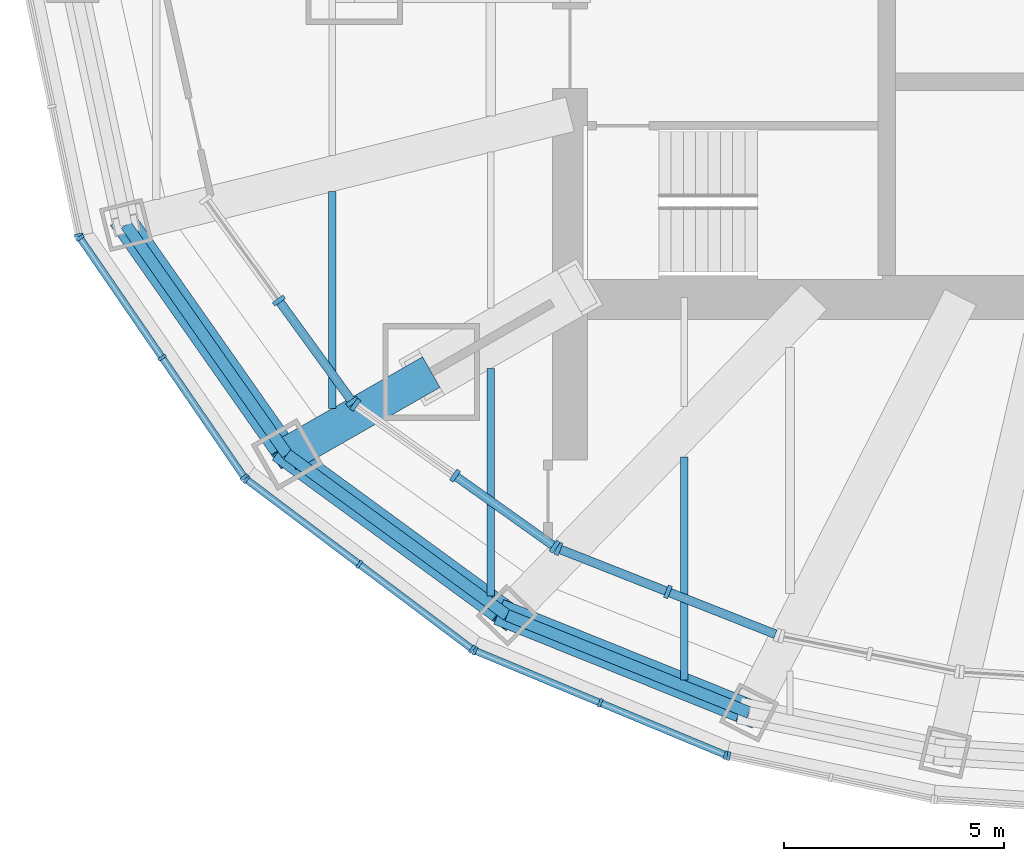
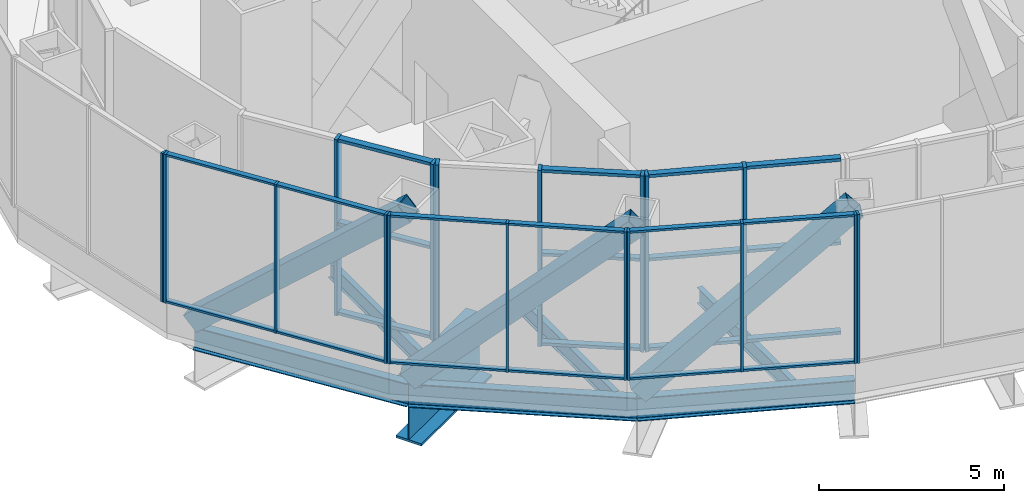
# One storey, part 2 of 21: 45 members, 7 beams, 8 elements without a shape of their own.
"""IFC4 building model written with IfcOpenShell, lengths in metres."""

from ifc_helpers import new_model, si_unit, direction, frame, origin, origin_2d, place, context, subcontext, project, spatial, rectangle, hollow_rectangle, i_section, extrude, material, material_profile, profile_set, type_object, element, aggregate, save


model = new_model("IFC4")

# Units and contexts
model_context = context("Model", 3, precision=1e-05, world=origin(), true_north=direction((0.0, 1.0)))
body_context = subcontext(model_context, "Body", "Model", "MODEL_VIEW")
ifc_project = project(units=[si_unit("LENGTHUNIT", "METRE"), si_unit("AREAUNIT", "SQUARE_METRE"), si_unit("VOLUMEUNIT", "CUBIC_METRE"), si_unit("PLANEANGLEUNIT", "RADIAN"), si_unit("MASSUNIT", "GRAM", prefix="KILO")], contexts=[model_context])

# Site, building, storey
site_placement = place(None, origin())
site = spatial("IfcSite", under=ifc_project, at=site_placement, CompositionType="ELEMENT")
building_placement = place(site_placement, origin())
building = spatial("IfcBuilding", under=site, at=building_placement, Name="Lantaw Convention Tower", CompositionType="ELEMENT")
storey_placement = place(building_placement, frame((0.0, 0.0, 284.39990234375)))
storey = spatial("IfcBuildingStorey", under=building, at=storey_placement, Name="L66", CompositionType="ELEMENT", Elevation=284.39990234375)

# Beams
ifc_material_1 = material(Name="Steel ASTM A992", Category="steel")
ifc_material_profile_1 = material_profile(ifc_material_1, i_section(OverallWidth=0.2666015625, OverallDepth=0.76953125, WebThickness=0.015625, FlangeThickness=0.025390625, FilletRadius=0.0126953125, at=origin_2d()), Name="W30X132")
ifc_profile_set_1 = profile_set([ifc_material_profile_1], Name="Steel ASTM A992")
beam_type_1 = type_object("IfcBeamType", Name="Beam E W30X132", PredefinedType="SPANDREL", material=ifc_profile_set_1)
beam_1_placement = place(storey_placement, frame((-22.68701171875, -5.656494140625, -0.584716796875), z_axis=(0.574400527612, -0.81857439117, 0.0), x_axis=(0.81857439117, 0.574400527612, 0.0)))
element("IfcBeam", 1, at=beam_1_placement, inside=storey, type_object=beam_type_1, Name="Edge beam 14", PredefinedType="SPANDREL", context=body_context, shape_type="SweptSolid", body=[
    extrude(i_section(OverallWidth=0.2666015625, OverallDepth=0.76953125, WebThickness=0.015625, FlangeThickness=0.025390625, FilletRadius=0.0126953125, at=origin_2d()), origin(), (0.0, 0.0, 1.0), 6.3720703125),
])
beam_2_placement = place(storey_placement, frame((-19.02685546875, -10.87255859375, -0.584716796875), z_axis=(0.807371616826, -0.59004328006, 0.0), x_axis=(0.59004328006, 0.807371616826, 0.0)))
element("IfcBeam", 2, at=beam_2_placement, inside=storey, type_object=beam_type_1, Name="Edge beam 15", PredefinedType="SPANDREL", context=body_context, shape_type="SweptSolid", body=[
    extrude(i_section(OverallWidth=0.2666015625, OverallDepth=0.76953125, WebThickness=0.015625, FlangeThickness=0.025390625, FilletRadius=0.0126953125, at=origin_2d()), origin(), (0.0, 0.0, 1.0), 6.192138671875),
])
beam_3_placement = place(storey_placement, frame((-14.027587890625, -14.526123046875, -0.584716796875), z_axis=(0.927779110974, -0.373129898615, 0.0), x_axis=(0.373129898615, 0.927779110974, 0.0)))
element("IfcBeam", 3, at=beam_3_placement, inside=storey, type_object=beam_type_1, Name="Edge beam 16", PredefinedType="SPANDREL", context=body_context, shape_type="SweptSolid", body=[
    extrude(i_section(OverallWidth=0.2666015625, OverallDepth=0.76953125, WebThickness=0.015625, FlangeThickness=0.025390625, FilletRadius=0.0126953125, at=origin_2d()), origin(), (0.0, 0.0, 1.0), 5.92724609375),
])
ifc_material_2 = material(Name="Steel ASTM A572 Grade 50", Category="steel")
ifc_material_profile_2 = material_profile(ifc_material_2, i_section(OverallWidth=0.800048828125, OverallDepth=2.0, WebThickness=0.030029296875, FlangeThickness=0.080078125, at=origin_2d()), Name="PG2000X800X30X80")
ifc_profile_set_2 = profile_set([ifc_material_profile_2], Name="Steel ASTM A572 Grade 50")
beam_type_2 = type_object("IfcBeamType", Name="Beam HG PG2000X800X30X80", PredefinedType="BEAM", material=ifc_profile_set_2)
beam_4_placement = place(storey_placement, frame((-15.75, -9.0, -1.199951171875), z_axis=(-0.868235180478, -0.496152870978, 0.0), x_axis=(0.496152870978, -0.868235180478, 0.0)))
element("IfcBeam", 4, at=beam_4_placement, inside=storey, type_object=beam_type_2, Name="Floor girder on ray 15", PredefinedType="BEAM", context=body_context, shape_type="SweptSolid", body=[
    extrude(i_section(OverallWidth=0.800048828125, OverallDepth=2.0, WebThickness=0.030029296875, FlangeThickness=0.080078125, at=origin_2d()), origin(), (0.0, 0.0, 1.0), 3.774169921875),
])
ifc_material_profile_3 = material_profile(ifc_material_1, i_section(OverallWidth=0.1650390625, OverallDepth=0.52587890625, WebThickness=0.0087890625, FlangeThickness=0.011474609375, FilletRadius=0.0126953125, at=origin_2d()), Name="W21X44")
ifc_profile_set_3 = profile_set([ifc_material_profile_3], Name="Steel ASTM A992")
beam_type_3 = type_object("IfcBeamType", Name="Beam J W21X44", PredefinedType="JOIST", material=ifc_profile_set_3)
beam_5_placement = place(storey_placement, frame((-10.0, -16.002197265625, -0.462890625), z_axis=(0.0, 1.0, 0.0), x_axis=(-1.0, 0.0, 0.0)))
element("IfcBeam", 5, at=beam_5_placement, inside=storey, type_object=beam_type_3, Name="Floor joist", PredefinedType="JOIST", context=body_context, shape_type="SweptSolid", body=[
    extrude(i_section(OverallWidth=0.1650390625, OverallDepth=0.52587890625, WebThickness=0.0087890625, FlangeThickness=0.011474609375, FilletRadius=0.0126953125, at=origin_2d()), origin(), (0.0, 0.0, 1.0), 5.071044921875),
])
ifc_material_profile_4 = material_profile(ifc_material_1, i_section(OverallWidth=0.165771484375, OverallDepth=0.5283203125, WebThickness=0.009765625, FlangeThickness=0.013671875, FilletRadius=0.012939453125, at=origin_2d()), Name="W21X50")
ifc_profile_set_4 = profile_set([ifc_material_profile_4], Name="Steel ASTM A992")
beam_type_4 = type_object("IfcBeamType", Name="Beam J W21X50", PredefinedType="JOIST", material=ifc_profile_set_4)
beam_6_placement = place(storey_placement, frame((-18.0, -9.824951171875, -0.464111328125), z_axis=(0.0, 1.0, 0.0), x_axis=(-1.0, 0.0, 0.0)))
element("IfcBeam", 6, at=beam_6_placement, inside=storey, type_object=beam_type_4, Name="Floor joist", PredefinedType="JOIST", context=body_context, shape_type="SweptSolid", body=[
    extrude(i_section(OverallWidth=0.165771484375, OverallDepth=0.5283203125, WebThickness=0.009765625, FlangeThickness=0.013671875, FilletRadius=0.012939453125, at=origin_2d()), origin(), (0.0, 0.0, 1.0), 4.9248046875),
])
beam_7_placement = place(storey_placement, frame((-14.39990234375, -14.0888671875, -0.464111328125), z_axis=(0.0, 1.0, 0.0), x_axis=(-1.0, 0.0, 0.0)))
element("IfcBeam", 7, at=beam_7_placement, inside=storey, type_object=beam_type_4, Name="Floor joist", PredefinedType="JOIST", context=body_context, shape_type="SweptSolid", body=[
    extrude(i_section(OverallWidth=0.165771484375, OverallDepth=0.5283203125, WebThickness=0.009765625, FlangeThickness=0.013671875, FilletRadius=0.012939453125, at=origin_2d()), origin(), (0.0, 0.0, 1.0), 5.169189453125),
])

# Curtain wall, members
ifc_material_3 = material(Name="Aluminium framed curtain wall", Category="aluminium")
curtain_wall_type_1 = type_object("IfcCurtainWallType", Name="Lantern corner louvre curtain wall, pale aluminium", PredefinedType="USERDEFINED", material=ifc_material_3)
curtain_wall_1_placement = place(storey_placement, origin())
curtain_wall_1 = element("IfcCurtainWall", 8, at=curtain_wall_1_placement, inside=storey, type_object=curtain_wall_type_1, Name="Lantern corner louvre curtain wall, pale aluminium L66", ObjectType="LOUVRE WALL", PredefinedType="USERDEFINED")
ifc_material_4 = material(Name="Aluminium 6063-T6", Category="aluminium")
ifc_material_profile_5 = material_profile(ifc_material_4, rectangle(XDim=0.300048828125, YDim=0.10009765625, at=origin_2d()), Name="CW-LC mullion 100x300")
ifc_profile_set_5 = profile_set([ifc_material_profile_5], Name="Aluminium 6063-T6")
member_type_1 = type_object("IfcMemberType", Name="CW-LC mullion 100x300", PredefinedType="MULLION", material=ifc_profile_set_5)
member_1_placement = place(storey_placement, frame((-17.477783203125, -9.7431640625, 0.0), z_axis=(0.0, 0.0, 1.0), x_axis=(0.579683901346, 0.814841441337, 0.0)))
member_1 = element("IfcMember", 9, at=member_1_placement, type_object=member_type_1, Name="CW-LC mullion 1", PredefinedType="MULLION", context=body_context, shape_type="SweptSolid", body=[
    extrude(rectangle(XDim=0.300048828125, YDim=0.10009765625, at=origin_2d()), origin(), (0.0, 0.0, 1.0), 5.800048828125),
])
member_2_placement = place(storey_placement, frame((-15.212158203125, -11.354736328125, 0.0), z_axis=(0.0, 0.0, 1.0), x_axis=(0.579683901346, 0.814841441337, 0.0)))
member_2 = element("IfcMember", 10, at=member_2_placement, type_object=member_type_1, Name="CW-LC mullion 2", PredefinedType="MULLION", context=body_context, shape_type="SweptSolid", body=[
    extrude(rectangle(XDim=0.300048828125, YDim=0.10009765625, at=origin_2d()), origin(), (0.0, 0.0, 1.0), 5.800048828125),
])
member_3_placement = place(storey_placement, frame((-12.946533203125, -12.966552734375, 0.0), z_axis=(0.0, 0.0, 1.0), x_axis=(0.579683901346, 0.814841441337, 0.0)))
member_3 = element("IfcMember", 11, at=member_3_placement, type_object=member_type_1, Name="CW-LC mullion 3", PredefinedType="MULLION", context=body_context, shape_type="SweptSolid", body=[
    extrude(rectangle(XDim=0.300048828125, YDim=0.10009765625, at=origin_2d()), origin(), (0.0, 0.0, 1.0), 5.800048828125),
])
ifc_material_profile_6 = material_profile(ifc_material_4, rectangle(XDim=0.199951171875, YDim=0.10009765625, at=origin_2d()), Name="CW-LC transom 100x200")
ifc_profile_set_6 = profile_set([ifc_material_profile_6], Name="Aluminium 6063-T6")
member_type_2 = type_object("IfcMemberType", Name="CW-LC transom 100x200", PredefinedType="USERDEFINED", material=ifc_profile_set_6)
member_4_placement = place(storey_placement, frame((-15.17138671875, -11.3837890625, 0.050048828125), z_axis=(0.814852067311, -0.579668964495, 0.0), x_axis=(0.579668964495, 0.814852067311, 0.0)))
member_4 = element("IfcMember", 12, at=member_4_placement, type_object=member_type_2, Name="CW-LC transom 2.1", ObjectType="TRANSOM", PredefinedType="USERDEFINED", context=body_context, shape_type="SweptSolid", body=[
    extrude(rectangle(XDim=0.199951171875, YDim=0.10009765625, at=origin_2d()), origin(), (0.0, 0.0, 1.0), 2.680419921875),
])
member_5_placement = place(storey_placement, frame((-15.17138671875, -11.3837890625, 3.0), z_axis=(0.814852067311, -0.579668964495, 0.0), x_axis=(0.579668964495, 0.814852067311, 0.0)))
member_5 = element("IfcMember", 13, at=member_5_placement, type_object=member_type_2, Name="CW-LC transom 2.2", ObjectType="TRANSOM", PredefinedType="USERDEFINED", context=body_context, shape_type="SweptSolid", body=[
    extrude(rectangle(XDim=0.199951171875, YDim=0.10009765625, at=origin_2d()), origin(), (0.0, 0.0, 1.0), 2.680419921875),
])
member_6_placement = place(storey_placement, frame((-15.17138671875, -11.3837890625, 5.75), z_axis=(0.814852067311, -0.579668964495, 0.0), x_axis=(0.579668964495, 0.814852067311, 0.0)))
member_6 = element("IfcMember", 14, at=member_6_placement, type_object=member_type_2, Name="CW-LC transom 2.3", ObjectType="TRANSOM", PredefinedType="USERDEFINED", context=body_context, shape_type="SweptSolid", body=[
    extrude(rectangle(XDim=0.199951171875, YDim=0.10009765625, at=origin_2d()), origin(), (0.0, 0.0, 1.0), 2.680419921875),
])
aggregate(curtain_wall_1, [member_1, member_2, member_3, member_4, member_5, member_6])

curtain_wall_type_2 = type_object("IfcCurtainWallType", Name="LANTERN glazing curtain wall, pale aluminium", PredefinedType="USERDEFINED", material=ifc_material_3)
curtain_wall_2_placement = place(storey_placement, origin())
curtain_wall_2 = element("IfcCurtainWall", 15, at=curtain_wall_2_placement, inside=storey, type_object=curtain_wall_type_2, Name="LANTERN glazing curtain wall, pale aluminium L66", ObjectType="LANTERN GLAZING", PredefinedType="USERDEFINED")
ifc_material_profile_7 = material_profile(ifc_material_4, rectangle(XDim=0.300048828125, YDim=0.10009765625, at=origin_2d()), Name="CW-LN mullion 100x300")
ifc_profile_set_7 = profile_set([ifc_material_profile_7], Name="Aluminium 6063-T6")
member_type_3 = type_object("IfcMemberType", Name="CW-LN mullion 100x300", PredefinedType="MULLION", material=ifc_profile_set_7)
member_7_placement = place(storey_placement, frame((-19.213623046875, -7.375, 0.0), z_axis=(0.0, 0.0, 1.0), x_axis=(0.809741800193, 0.586786346995, 0.0)))
member_7 = element("IfcMember", 16, at=member_7_placement, type_object=member_type_3, Name="CW-LN mullion 2", PredefinedType="MULLION", context=body_context, shape_type="SweptSolid", body=[
    extrude(rectangle(XDim=0.300048828125, YDim=0.10009765625, at=origin_2d()), origin(), (0.0, 0.0, 1.0), 5.800048828125),
])
member_8_placement = place(storey_placement, frame((-17.5478515625, -9.673583984375, 0.0), z_axis=(0.0, 0.0, 1.0), x_axis=(0.809741800193, 0.586786346995, 0.0)))
member_8 = element("IfcMember", 17, at=member_8_placement, type_object=member_type_3, Name="CW-LN mullion 3", PredefinedType="MULLION", context=body_context, shape_type="SweptSolid", body=[
    extrude(rectangle(XDim=0.300048828125, YDim=0.10009765625, at=origin_2d()), origin(), (0.0, 0.0, 1.0), 5.800048828125),
])

curtain_wall_3_placement = place(storey_placement, origin())
curtain_wall_3 = element("IfcCurtainWall", 18, at=curtain_wall_3_placement, inside=storey, type_object=curtain_wall_type_2, Name="LANTERN glazing curtain wall, pale aluminium L66", ObjectType="LANTERN GLAZING", PredefinedType="USERDEFINED")
member_9_placement = place(storey_placement, frame((-12.859375, -13.013916015625, 0.0), z_axis=(0.0, 0.0, 1.0), x_axis=(0.366801957358, 0.930299050885, 0.0)))
member_9 = element("IfcMember", 19, at=member_9_placement, type_object=member_type_3, Name="CW-LN mullion 1", PredefinedType="MULLION", context=body_context, shape_type="SweptSolid", body=[
    extrude(rectangle(XDim=0.300048828125, YDim=0.10009765625, at=origin_2d()), origin(), (0.0, 0.0, 1.0), 5.800048828125),
])
member_10_placement = place(storey_placement, frame((-10.37109375, -13.994873046875, 0.0), z_axis=(0.0, 0.0, 1.0), x_axis=(0.366801957358, 0.930299050885, 0.0)))
member_10 = element("IfcMember", 20, at=member_10_placement, type_object=member_type_3, Name="CW-LN mullion 2", PredefinedType="MULLION", context=body_context, shape_type="SweptSolid", body=[
    extrude(rectangle(XDim=0.300048828125, YDim=0.10009765625, at=origin_2d()), origin(), (0.0, 0.0, 1.0), 5.800048828125),
])

# Member
ifc_material_profile_8 = material_profile(ifc_material_4, rectangle(XDim=0.199951171875, YDim=0.10009765625, at=origin_2d()), Name="CW-LN transom 100x200")
ifc_profile_set_8 = profile_set([ifc_material_profile_8], Name="Aluminium 6063-T6")
member_type_4 = type_object("IfcMemberType", Name="CW-LN transom 100x200", PredefinedType="USERDEFINED", material=ifc_profile_set_8)
member_11_placement = place(storey_placement, frame((-19.184326171875, -7.415283203125, 0.050048828125), z_axis=(0.586798118951, -0.809733269414, 0.0), x_axis=(0.809733269414, 0.586798118951, 0.0)))
member_11 = element("IfcMember", 21, at=member_11_placement, type_object=member_type_4, Name="CW-LN transom 2.1", ObjectType="TRANSOM", PredefinedType="USERDEFINED", context=body_context, shape_type="SweptSolid", body=[
    extrude(rectangle(XDim=0.199951171875, YDim=0.10009765625, at=origin_2d()), origin(), (0.0, 0.0, 1.0), 2.739013671875),
])

member_12_placement = place(storey_placement, frame((-19.184326171875, -7.415283203125, 3.0), z_axis=(0.586798118951, -0.809733269414, 0.0), x_axis=(0.809733269414, 0.586798118951, 0.0)))
member_12 = element("IfcMember", 22, at=member_12_placement, type_object=member_type_4, Name="CW-LN transom 2.2", ObjectType="TRANSOM", PredefinedType="USERDEFINED", context=body_context, shape_type="SweptSolid", body=[
    extrude(rectangle(XDim=0.199951171875, YDim=0.10009765625, at=origin_2d()), origin(), (0.0, 0.0, 1.0), 2.739013671875),
])

member_13_placement = place(storey_placement, frame((-19.184326171875, -7.415283203125, 5.75), z_axis=(0.586798118951, -0.809733269414, 0.0), x_axis=(0.809733269414, 0.586798118951, 0.0)))
member_13 = element("IfcMember", 23, at=member_13_placement, type_object=member_type_4, Name="CW-LN transom 2.3", ObjectType="TRANSOM", PredefinedType="USERDEFINED", context=body_context, shape_type="SweptSolid", body=[
    extrude(rectangle(XDim=0.199951171875, YDim=0.10009765625, at=origin_2d()), origin(), (0.0, 0.0, 1.0), 2.739013671875),
])

aggregate(curtain_wall_2, [member_7, member_8, member_11, member_12, member_13])

member_14_placement = place(storey_placement, frame((-12.812744140625, -13.0322265625, 0.050048828125), z_axis=(0.930296632408, -0.366808091147, 0.0), x_axis=(0.366808091147, 0.930296632408, 0.0)))
member_14 = element("IfcMember", 24, at=member_14_placement, type_object=member_type_4, Name="CW-LN transom 1.1", ObjectType="TRANSOM", PredefinedType="USERDEFINED", context=body_context, shape_type="SweptSolid", body=[
    extrude(rectangle(XDim=0.199951171875, YDim=0.10009765625, at=origin_2d()), origin(), (0.0, 0.0, 1.0), 2.574462890625),
])

member_15_placement = place(storey_placement, frame((-12.812744140625, -13.0322265625, 3.0), z_axis=(0.930296632408, -0.366808091147, 0.0), x_axis=(0.366808091147, 0.930296632408, 0.0)))
member_15 = element("IfcMember", 25, at=member_15_placement, type_object=member_type_4, Name="CW-LN transom 1.2", ObjectType="TRANSOM", PredefinedType="USERDEFINED", context=body_context, shape_type="SweptSolid", body=[
    extrude(rectangle(XDim=0.199951171875, YDim=0.10009765625, at=origin_2d()), origin(), (0.0, 0.0, 1.0), 2.574462890625),
])

member_16_placement = place(storey_placement, frame((-12.812744140625, -13.0322265625, 5.75), z_axis=(0.930296632408, -0.366808091147, 0.0), x_axis=(0.366808091147, 0.930296632408, 0.0)))
member_16 = element("IfcMember", 26, at=member_16_placement, type_object=member_type_4, Name="CW-LN transom 1.3", ObjectType="TRANSOM", PredefinedType="USERDEFINED", context=body_context, shape_type="SweptSolid", body=[
    extrude(rectangle(XDim=0.199951171875, YDim=0.10009765625, at=origin_2d()), origin(), (0.0, 0.0, 1.0), 2.574462890625),
])

member_17_placement = place(storey_placement, frame((-10.32470703125, -14.01318359375, 0.050048828125), z_axis=(0.930309390119, -0.366775733461, 0.0), x_axis=(0.366775733461, 0.930309390119, 0.0)))
member_17 = element("IfcMember", 27, at=member_17_placement, type_object=member_type_4, Name="CW-LN transom 2.1", ObjectType="TRANSOM", PredefinedType="USERDEFINED", context=body_context, shape_type="SweptSolid", body=[
    extrude(rectangle(XDim=0.199951171875, YDim=0.10009765625, at=origin_2d()), origin(), (0.0, 0.0, 1.0), 2.57470703125),
])

member_18_placement = place(storey_placement, frame((-10.32470703125, -14.01318359375, 3.0), z_axis=(0.930309390119, -0.366775733461, 0.0), x_axis=(0.366775733461, 0.930309390119, 0.0)))
member_18 = element("IfcMember", 28, at=member_18_placement, type_object=member_type_4, Name="CW-LN transom 2.2", ObjectType="TRANSOM", PredefinedType="USERDEFINED", context=body_context, shape_type="SweptSolid", body=[
    extrude(rectangle(XDim=0.199951171875, YDim=0.10009765625, at=origin_2d()), origin(), (0.0, 0.0, 1.0), 2.57470703125),
])

member_19_placement = place(storey_placement, frame((-10.32470703125, -14.01318359375, 5.75), z_axis=(0.930309390119, -0.366775733461, 0.0), x_axis=(0.366775733461, 0.930309390119, 0.0)))
member_19 = element("IfcMember", 29, at=member_19_placement, type_object=member_type_4, Name="CW-LN transom 2.3", ObjectType="TRANSOM", PredefinedType="USERDEFINED", context=body_context, shape_type="SweptSolid", body=[
    extrude(rectangle(XDim=0.199951171875, YDim=0.10009765625, at=origin_2d()), origin(), (0.0, 0.0, 1.0), 2.57470703125),
])

aggregate(curtain_wall_3, [member_9, member_10, member_14, member_15, member_16, member_17, member_18, member_19])

# Curtain wall, member
curtain_wall_type_3 = type_object("IfcCurtainWallType", Name="Plant floor louvre wall, pale aluminium", PredefinedType="USERDEFINED", material=ifc_material_3)
curtain_wall_4_placement = place(storey_placement, origin())
curtain_wall_4 = element("IfcCurtainWall", 30, at=curtain_wall_4_placement, inside=storey, type_object=curtain_wall_type_3, Name="Plant floor louvre wall, pale aluminium L66", ObjectType="LOUVRE WALL", PredefinedType="USERDEFINED")
ifc_material_profile_9 = material_profile(ifc_material_4, rectangle(XDim=0.199951171875, YDim=0.070068359375, at=origin_2d()), Name="CW-LV mullion 70x200")
ifc_profile_set_9 = profile_set([ifc_material_profile_9], Name="Aluminium 6063-T6")
member_type_5 = type_object("IfcMemberType", Name="CW-LV mullion 70x200", PredefinedType="MULLION", material=ifc_profile_set_9)
member_20_placement = place(storey_placement, frame((-23.761474609375, -5.888427734375, 1.10009765625), z_axis=(0.0, 0.0, 1.0), x_axis=(0.978591117263, 0.205814054946, 0.0)))
member_20 = element("IfcMember", 31, at=member_20_placement, type_object=member_type_5, Name="CW-LV mullion 3", PredefinedType="MULLION", context=body_context, shape_type="SweptSolid", body=[
    extrude(rectangle(XDim=0.199951171875, YDim=0.070068359375, at=origin_2d()), origin(), (0.0, 0.0, 1.0), 4.89990234375),
])
aggregate(curtain_wall_4, [member_20])

# Curtain wall, members
curtain_wall_5_placement = place(storey_placement, origin())
curtain_wall_5 = element("IfcCurtainWall", 32, at=curtain_wall_5_placement, inside=storey, type_object=curtain_wall_type_3, Name="Plant floor louvre wall, pale aluminium L66", ObjectType="LOUVRE WALL", PredefinedType="USERDEFINED")
member_21_placement = place(storey_placement, frame((-23.734619140625, -5.951416015625, 1.10009765625), z_axis=(0.0, 0.0, 1.0), x_axis=(0.824449977189, 0.565934832921, 0.0)))
member_21 = element("IfcMember", 33, at=member_21_placement, type_object=member_type_5, Name="CW-LV mullion 1", PredefinedType="MULLION", context=body_context, shape_type="SweptSolid", body=[
    extrude(rectangle(XDim=0.199951171875, YDim=0.070068359375, at=origin_2d()), origin(), (0.0, 0.0, 1.0), 4.89990234375),
])
member_22_placement = place(storey_placement, frame((-21.8681640625, -8.67041015625, 1.10009765625), z_axis=(0.0, 0.0, 1.0), x_axis=(0.824449977189, 0.565934832921, 0.0)))
member_22 = element("IfcMember", 34, at=member_22_placement, type_object=member_type_5, Name="CW-LV mullion 2", PredefinedType="MULLION", context=body_context, shape_type="SweptSolid", body=[
    extrude(rectangle(XDim=0.199951171875, YDim=0.070068359375, at=origin_2d()), origin(), (0.0, 0.0, 1.0), 4.89990234375),
])
member_23_placement = place(storey_placement, frame((-20.001708984375, -11.389404296875, 1.10009765625), z_axis=(0.0, 0.0, 1.0), x_axis=(0.824449977189, 0.565934832921, 0.0)))
member_23 = element("IfcMember", 35, at=member_23_placement, type_object=member_type_5, Name="CW-LV mullion 3", PredefinedType="MULLION", context=body_context, shape_type="SweptSolid", body=[
    extrude(rectangle(XDim=0.199951171875, YDim=0.070068359375, at=origin_2d()), origin(), (0.0, 0.0, 1.0), 4.89990234375),
])

curtain_wall_6_placement = place(storey_placement, origin())
curtain_wall_6 = element("IfcCurtainWall", 36, at=curtain_wall_6_placement, inside=storey, type_object=curtain_wall_type_3, Name="Plant floor louvre wall, pale aluminium L66", ObjectType="LOUVRE WALL", PredefinedType="USERDEFINED")
member_24_placement = place(storey_placement, frame((-19.953857421875, -11.439208984375, 1.10009765625), z_axis=(0.0, 0.0, 1.0), x_axis=(0.600642756762, 0.799517528732, 0.0)))
member_24 = element("IfcMember", 37, at=member_24_placement, type_object=member_type_5, Name="CW-LV mullion 1", PredefinedType="MULLION", context=body_context, shape_type="SweptSolid", body=[
    extrude(rectangle(XDim=0.199951171875, YDim=0.070068359375, at=origin_2d()), origin(), (0.0, 0.0, 1.0), 4.89990234375),
])
member_25_placement = place(storey_placement, frame((-17.386962890625, -13.367919921875, 1.10009765625), z_axis=(0.0, 0.0, 1.0), x_axis=(0.600642756762, 0.799517528732, 0.0)))
member_25 = element("IfcMember", 38, at=member_25_placement, type_object=member_type_5, Name="CW-LV mullion 2", PredefinedType="MULLION", context=body_context, shape_type="SweptSolid", body=[
    extrude(rectangle(XDim=0.199951171875, YDim=0.070068359375, at=origin_2d()), origin(), (0.0, 0.0, 1.0), 4.89990234375),
])
member_26_placement = place(storey_placement, frame((-14.81982421875, -15.29638671875, 1.10009765625), z_axis=(0.0, 0.0, 1.0), x_axis=(0.600642756762, 0.799517528732, 0.0)))
member_26 = element("IfcMember", 39, at=member_26_placement, type_object=member_type_5, Name="CW-LV mullion 3", PredefinedType="MULLION", context=body_context, shape_type="SweptSolid", body=[
    extrude(rectangle(XDim=0.199951171875, YDim=0.070068359375, at=origin_2d()), origin(), (0.0, 0.0, 1.0), 4.89990234375),
])

curtain_wall_7_placement = place(storey_placement, origin())
curtain_wall_7 = element("IfcCurtainWall", 40, at=curtain_wall_7_placement, inside=storey, type_object=curtain_wall_type_3, Name="Plant floor louvre wall, pale aluminium L66", ObjectType="LOUVRE WALL", PredefinedType="USERDEFINED")
member_27_placement = place(storey_placement, frame((-14.759521484375, -15.330810546875, 1.10009765625), z_axis=(0.0, 0.0, 1.0), x_axis=(0.384459697924, 0.923141777124, 0.0)))
member_27 = element("IfcMember", 41, at=member_27_placement, type_object=member_type_5, Name="CW-LV mullion 1", PredefinedType="MULLION", context=body_context, shape_type="SweptSolid", body=[
    extrude(rectangle(XDim=0.199951171875, YDim=0.070068359375, at=origin_2d()), origin(), (0.0, 0.0, 1.0), 4.89990234375),
])
member_28_placement = place(storey_placement, frame((-11.90966796875, -16.517578125, 1.10009765625), z_axis=(0.0, 0.0, 1.0), x_axis=(0.384459697924, 0.923141777124, 0.0)))
member_28 = element("IfcMember", 42, at=member_28_placement, type_object=member_type_5, Name="CW-LV mullion 2", PredefinedType="MULLION", context=body_context, shape_type="SweptSolid", body=[
    extrude(rectangle(XDim=0.199951171875, YDim=0.070068359375, at=origin_2d()), origin(), (0.0, 0.0, 1.0), 4.89990234375),
])
member_29_placement = place(storey_placement, frame((-9.06005859375, -17.70458984375, 1.10009765625), z_axis=(0.0, 0.0, 1.0), x_axis=(0.384459697924, 0.923141777124, 0.0)))
member_29 = element("IfcMember", 43, at=member_29_placement, type_object=member_type_5, Name="CW-LV mullion 3", PredefinedType="MULLION", context=body_context, shape_type="SweptSolid", body=[
    extrude(rectangle(XDim=0.199951171875, YDim=0.070068359375, at=origin_2d()), origin(), (0.0, 0.0, 1.0), 4.89990234375),
])

# Curtain wall, member
curtain_wall_8_placement = place(storey_placement, origin())
curtain_wall_8 = element("IfcCurtainWall", 44, at=curtain_wall_8_placement, inside=storey, type_object=curtain_wall_type_3, Name="Plant floor louvre wall, pale aluminium L66", ObjectType="LOUVRE WALL", PredefinedType="USERDEFINED")
member_30_placement = place(storey_placement, frame((-8.993408203125, -17.72509765625, 1.10009765625), z_axis=(0.0, 0.0, 1.0), x_axis=(0.207039911975, 0.978332497083, 0.0)))
member_30 = element("IfcMember", 45, at=member_30_placement, type_object=member_type_5, Name="CW-LV mullion 1", PredefinedType="MULLION", context=body_context, shape_type="SweptSolid", body=[
    extrude(rectangle(XDim=0.199951171875, YDim=0.070068359375, at=origin_2d()), origin(), (0.0, 0.0, 1.0), 4.89990234375),
])
aggregate(curtain_wall_8, [member_30])

# Member
ifc_material_profile_10 = material_profile(ifc_material_4, rectangle(XDim=0.159912109375, YDim=0.070068359375, at=origin_2d()), Name="CW-LV transom 70x160")
ifc_profile_set_10 = profile_set([ifc_material_profile_10], Name="Aluminium 6063-T6")
member_type_6 = type_object("IfcMemberType", Name="CW-LV transom 70x160", PredefinedType="USERDEFINED", material=ifc_profile_set_10)
member_31_placement = place(storey_placement, frame((-23.71484375, -5.980224609375, 1.135009765625), z_axis=(0.56594129057, -0.824445544368, 0.0), x_axis=(0.824445544368, 0.56594129057, 0.0)))
member_31 = element("IfcMember", 46, at=member_31_placement, type_object=member_type_6, Name="CW-LV transom 1.1", ObjectType="TRANSOM", PredefinedType="USERDEFINED", context=body_context, shape_type="SweptSolid", body=[
    extrude(rectangle(XDim=0.159912109375, YDim=0.070068359375, at=origin_2d()), origin(), (0.0, 0.0, 1.0), 3.22802734375),
])

member_32_placement = place(storey_placement, frame((-23.71484375, -5.980224609375, 5.965087890625), z_axis=(0.56594129057, -0.824445544368, 0.0), x_axis=(0.824445544368, 0.56594129057, 0.0)))
member_32 = element("IfcMember", 47, at=member_32_placement, type_object=member_type_6, Name="CW-LV transom 1.2", ObjectType="TRANSOM", PredefinedType="USERDEFINED", context=body_context, shape_type="SweptSolid", body=[
    extrude(rectangle(XDim=0.159912109375, YDim=0.070068359375, at=origin_2d()), origin(), (0.0, 0.0, 1.0), 3.22802734375),
])

member_33_placement = place(storey_placement, frame((-21.848388671875, -8.69921875, 1.135009765625), z_axis=(0.56594129057, -0.824445544368, 0.0), x_axis=(0.824445544368, 0.56594129057, 0.0)))
member_33 = element("IfcMember", 48, at=member_33_placement, type_object=member_type_6, Name="CW-LV transom 2.1", ObjectType="TRANSOM", PredefinedType="USERDEFINED", context=body_context, shape_type="SweptSolid", body=[
    extrude(rectangle(XDim=0.159912109375, YDim=0.070068359375, at=origin_2d()), origin(), (0.0, 0.0, 1.0), 3.22802734375),
])

member_34_placement = place(storey_placement, frame((-21.848388671875, -8.69921875, 5.965087890625), z_axis=(0.56594129057, -0.824445544368, 0.0), x_axis=(0.824445544368, 0.56594129057, 0.0)))
member_34 = element("IfcMember", 49, at=member_34_placement, type_object=member_type_6, Name="CW-LV transom 2.2", ObjectType="TRANSOM", PredefinedType="USERDEFINED", context=body_context, shape_type="SweptSolid", body=[
    extrude(rectangle(XDim=0.159912109375, YDim=0.070068359375, at=origin_2d()), origin(), (0.0, 0.0, 1.0), 3.22802734375),
])

aggregate(curtain_wall_5, [member_21, member_22, member_23, member_31, member_32, member_33, member_34])

member_35_placement = place(storey_placement, frame((-19.926025390625, -11.460205078125, 1.135009765625), z_axis=(0.799496049611, -0.600671346626, 0.0), x_axis=(0.600671346626, 0.799496049611, 0.0)))
member_35 = element("IfcMember", 50, at=member_35_placement, type_object=member_type_6, Name="CW-LV transom 1.1", ObjectType="TRANSOM", PredefinedType="USERDEFINED", context=body_context, shape_type="SweptSolid", body=[
    extrude(rectangle(XDim=0.159912109375, YDim=0.070068359375, at=origin_2d()), origin(), (0.0, 0.0, 1.0), 3.14111328125),
])

member_36_placement = place(storey_placement, frame((-19.926025390625, -11.460205078125, 5.965087890625), z_axis=(0.799496049611, -0.600671346626, 0.0), x_axis=(0.600671346626, 0.799496049611, 0.0)))
member_36 = element("IfcMember", 51, at=member_36_placement, type_object=member_type_6, Name="CW-LV transom 1.2", ObjectType="TRANSOM", PredefinedType="USERDEFINED", context=body_context, shape_type="SweptSolid", body=[
    extrude(rectangle(XDim=0.159912109375, YDim=0.070068359375, at=origin_2d()), origin(), (0.0, 0.0, 1.0), 3.14111328125),
])

member_37_placement = place(storey_placement, frame((-17.35888671875, -13.388916015625, 1.135009765625), z_axis=(0.799505333284, -0.600658989819, 0.0), x_axis=(0.600658989819, 0.799505333284, 0.0)))
member_37 = element("IfcMember", 52, at=member_37_placement, type_object=member_type_6, Name="CW-LV transom 2.1", ObjectType="TRANSOM", PredefinedType="USERDEFINED", context=body_context, shape_type="SweptSolid", body=[
    extrude(rectangle(XDim=0.159912109375, YDim=0.070068359375, at=origin_2d()), origin(), (0.0, 0.0, 1.0), 3.140625),
])

member_38_placement = place(storey_placement, frame((-17.35888671875, -13.388916015625, 5.965087890625), z_axis=(0.799505333284, -0.600658989819, 0.0), x_axis=(0.600658989819, 0.799505333284, 0.0)))
member_38 = element("IfcMember", 53, at=member_38_placement, type_object=member_type_6, Name="CW-LV transom 2.2", ObjectType="TRANSOM", PredefinedType="USERDEFINED", context=body_context, shape_type="SweptSolid", body=[
    extrude(rectangle(XDim=0.159912109375, YDim=0.070068359375, at=origin_2d()), origin(), (0.0, 0.0, 1.0), 3.140625),
])

aggregate(curtain_wall_6, [member_24, member_25, member_26, member_35, member_36, member_37, member_38])

member_39_placement = place(storey_placement, frame((-14.727294921875, -15.34423828125, 1.135009765625), z_axis=(0.923143943999, -0.384454494911, 0.0), x_axis=(0.384454494911, 0.923143943999, 0.0)))
member_39 = element("IfcMember", 54, at=member_39_placement, type_object=member_type_6, Name="CW-LV transom 1.1", ObjectType="TRANSOM", PredefinedType="USERDEFINED", context=body_context, shape_type="SweptSolid", body=[
    extrude(rectangle(XDim=0.159912109375, YDim=0.070068359375, at=origin_2d()), origin(), (0.0, 0.0, 1.0), 3.01708984375),
])

member_40_placement = place(storey_placement, frame((-14.727294921875, -15.34423828125, 5.965087890625), z_axis=(0.923143943999, -0.384454494911, 0.0), x_axis=(0.384454494911, 0.923143943999, 0.0)))
member_40 = element("IfcMember", 55, at=member_40_placement, type_object=member_type_6, Name="CW-LV transom 1.2", ObjectType="TRANSOM", PredefinedType="USERDEFINED", context=body_context, shape_type="SweptSolid", body=[
    extrude(rectangle(XDim=0.159912109375, YDim=0.070068359375, at=origin_2d()), origin(), (0.0, 0.0, 1.0), 3.01708984375),
])

member_41_placement = place(storey_placement, frame((-11.87744140625, -16.531005859375, 1.135009765625), z_axis=(0.923143943999, -0.384454494911, 0.0), x_axis=(0.384454494911, 0.923143943999, 0.0)))
member_41 = element("IfcMember", 56, at=member_41_placement, type_object=member_type_6, Name="CW-LV transom 2.1", ObjectType="TRANSOM", PredefinedType="USERDEFINED", context=body_context, shape_type="SweptSolid", body=[
    extrude(rectangle(XDim=0.159912109375, YDim=0.070068359375, at=origin_2d()), origin(), (0.0, 0.0, 1.0), 3.01708984375),
])

member_42_placement = place(storey_placement, frame((-11.87744140625, -16.531005859375, 5.965087890625), z_axis=(0.923143943999, -0.384454494911, 0.0), x_axis=(0.384454494911, 0.923143943999, 0.0)))
member_42 = element("IfcMember", 57, at=member_42_placement, type_object=member_type_6, Name="CW-LV transom 2.2", ObjectType="TRANSOM", PredefinedType="USERDEFINED", context=body_context, shape_type="SweptSolid", body=[
    extrude(rectangle(XDim=0.159912109375, YDim=0.070068359375, at=origin_2d()), origin(), (0.0, 0.0, 1.0), 3.01708984375),
])

aggregate(curtain_wall_7, [member_27, member_28, member_29, member_39, member_40, member_41, member_42])

# Members
ifc_material_profile_11 = material_profile(ifc_material_2, hollow_rectangle(XDim=0.60009765625, YDim=0.60009765625, WallThickness=0.031982421875, at=origin_2d()), Name="BOX600X32")
ifc_profile_set_11 = profile_set([ifc_material_profile_11], Name="Steel ASTM A572 Grade 50")
member_type_7 = type_object("IfcMemberType", Name="Member CR BOX600X32", PredefinedType="BRACE", material=ifc_profile_set_11)
member_43_placement = place(storey_placement, frame((-22.68701171875, -5.656494140625, -0.005859375), z_axis=(0.434827715644, -0.619670100369, 0.653401732793), x_axis=(0.81857439117, 0.574400527612, 0.0)))
element("IfcMember", 58, at=member_43_placement, inside=storey, type_object=member_type_7, Name="Crown ring truss diagonal 14", PredefinedType="BRACE", context=body_context, shape_type="SweptSolid", body=[
    extrude(hollow_rectangle(XDim=0.60009765625, YDim=0.60009765625, WallThickness=0.031982421875, at=origin_2d()), origin(), (0.0, 0.0, 1.0), 8.41748046875),
])
member_44_placement = place(storey_placement, frame((-19.02685546875, -10.87255859375, -0.005859375), z_axis=(0.603631856816, -0.441146199993, 0.664092321646), x_axis=(0.59004328006, 0.807371616826, 0.0)))
element("IfcMember", 59, at=member_44_placement, inside=storey, type_object=member_type_7, Name="Crown ring truss diagonal 15", PredefinedType="BRACE", context=body_context, shape_type="SweptSolid", body=[
    extrude(hollow_rectangle(XDim=0.60009765625, YDim=0.60009765625, WallThickness=0.031982421875, at=origin_2d()), origin(), (0.0, 0.0, 1.0), 8.281982421875),
])
member_45_placement = place(storey_placement, frame((-14.027587890625, -14.526123046875, -0.005859375), z_axis=(0.680097235143, -0.273518350862, 0.680187814131), x_axis=(0.373129898615, 0.927779110974, 0.0)))
element("IfcMember", 60, at=member_45_placement, inside=storey, type_object=member_type_7, Name="Crown ring truss diagonal 16", PredefinedType="BRACE", context=body_context, shape_type="SweptSolid", body=[
    extrude(hollow_rectangle(XDim=0.60009765625, YDim=0.60009765625, WallThickness=0.031982421875, at=origin_2d()), origin(), (0.0, 0.0, 1.0), 8.0859375),
])

save(model, "model.ifc")
